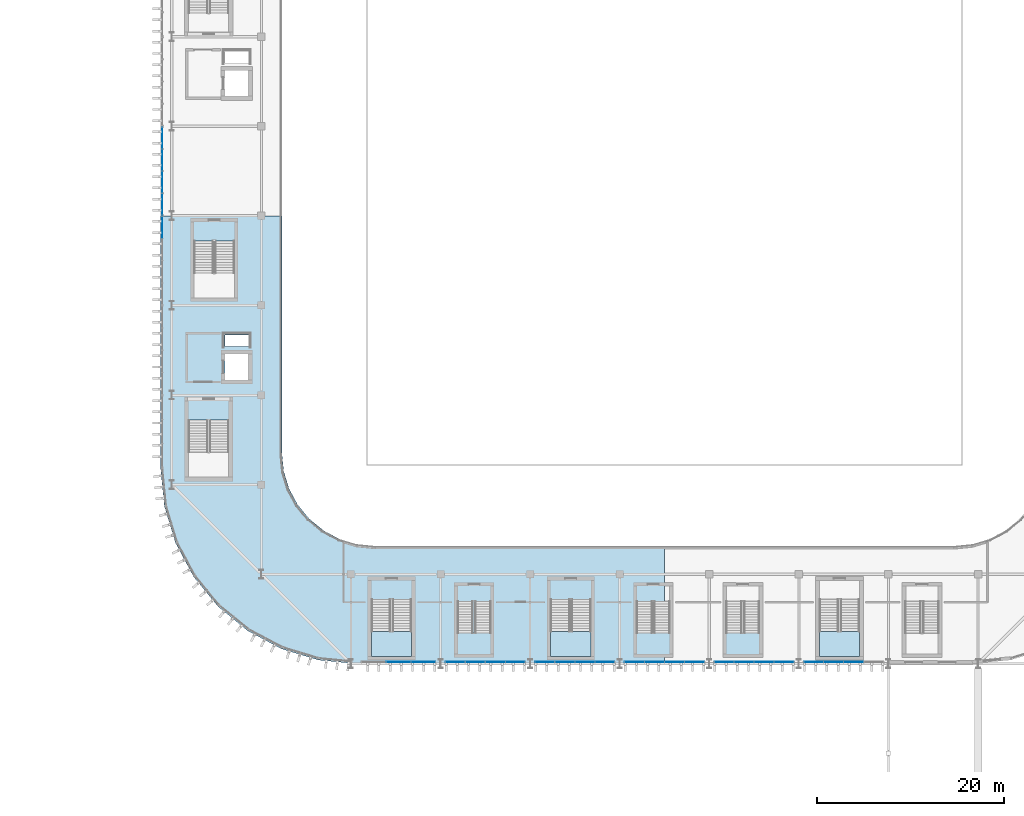
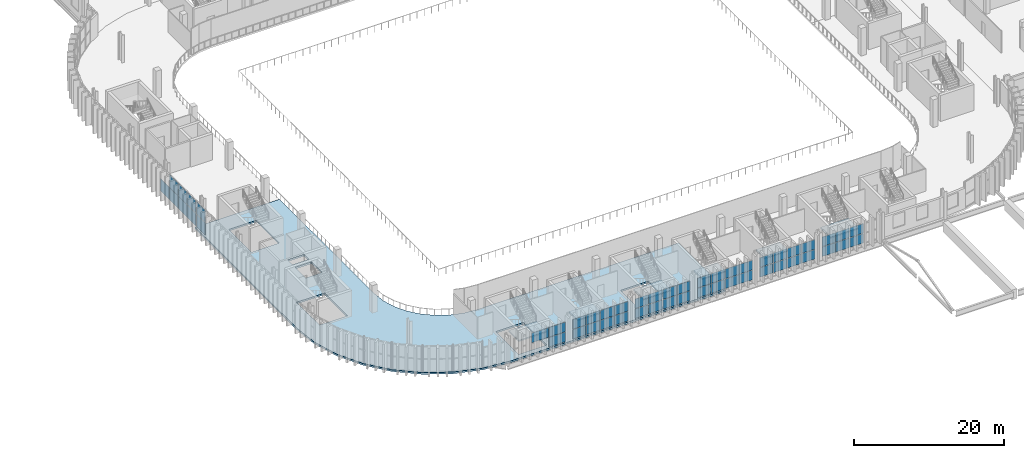
# One storey, part 37 of 75: 50 plates, 7 slabs, 14 elements without a shape of their own.
"""IFC4 building model written with IfcOpenShell, lengths in metres."""

from ifc_helpers import new_model, si_unit, direction, frame, origin, origin_2d, place, context, subcontext, project, spatial, polyline, rectangle, outline, extrude, material, layer, layer_set, type_object, element, aggregate, save


model = new_model("IFC4")

# Units and contexts
model_context = context("Model", 3, precision=1e-05, world=origin(), true_north=direction((0.0, 1.0)))
body_context = subcontext(model_context, "Body", "Model", "MODEL_VIEW")
ifc_project = project(units=[si_unit("LENGTHUNIT", "METRE"), si_unit("AREAUNIT", "SQUARE_METRE"), si_unit("VOLUMEUNIT", "CUBIC_METRE"), si_unit("PLANEANGLEUNIT", "RADIAN"), si_unit("MASSUNIT", "GRAM", prefix="KILO")], contexts=[model_context])

# Site, building, storey
site_placement = place(None, origin())
site = spatial("IfcSite", under=ifc_project, at=site_placement, CompositionType="ELEMENT")
building_placement = place(site_placement, origin())
building = spatial("IfcBuilding", under=site, at=building_placement, Name="Caelomonte Colonnade Arena", CompositionType="ELEMENT")
storey_placement = place(building_placement, frame((0.0, 0.0, 14.10009765625)))
storey = spatial("IfcBuildingStorey", under=building, at=storey_placement, Name="L03", CompositionType="ELEMENT", Elevation=14.10009765625)

# Curtain wall, plates
ifc_material_1 = material(Name="Bronze anodised aluminium and low-E glazing", Category="aluminium")
ifc_layer_1 = layer(ifc_material_1, 0.179931640625)
ifc_layer_set_1 = layer_set([ifc_layer_1], Name="Bronze anodised aluminium and low-E glazing")
curtain_wall_type_1 = type_object("IfcCurtainWallType", Name="ENV-CW-CW-L03-90-33", PredefinedType="USERDEFINED", material=ifc_layer_set_1)
curtain_wall_1_placement = place(storey_placement, origin())
curtain_wall_1 = element("IfcCurtainWall", 1, at=curtain_wall_1_placement, inside=storey, type_object=curtain_wall_type_1, Name="L03 unitized curtain wall CW-L03-0819-0194", ObjectType="UNITIZED CURTAIN WALL", PredefinedType="USERDEFINED")
ifc_material_2 = material(Name="Solar-control bronze low-E double glazing", Category="glass")
ifc_layer_2 = layer(ifc_material_2, 0.035888671875)
ifc_layer_set_2 = layer_set([ifc_layer_2], Name="Solar-control bronze low-E double glazing")
plate_type = type_object("IfcPlateType", Name="ENV-CW-PAN36", PredefinedType="CURTAIN_PANEL", material=ifc_layer_set_2)
plate_1_placement = place(storey_placement, frame((81.89990234375, 19.3798828125, 1.69140625), z_axis=(0.0, 0.0, 1.0), x_axis=(1.0, 0.0, 0.0)))
plate_1 = element("IfcPlate", 2, at=plate_1_placement, type_object=plate_type, Name="CW-L03-90-33 panel 2.2", PredefinedType="CURTAIN_PANEL", context=body_context, shape_type="SweptSolid", body=[
    extrude(rectangle(XDim=2.600830078125, YDim=0.035888671875, at=origin_2d()), origin(), (0.0, 0.0, 1.0), 1.551513671875),
])
plate_2_placement = place(storey_placement, frame((84.553466796875, 19.3798828125, 0.06982421875), z_axis=(0.0, 0.0, 1.0), x_axis=(1.0, 0.0, 0.0)))
plate_2 = element("IfcPlate", 3, at=plate_2_placement, type_object=plate_type, Name="CW-L03-90-33 panel 3.1", PredefinedType="CURTAIN_PANEL", context=body_context, shape_type="SweptSolid", body=[
    extrude(rectangle(XDim=2.56591796875, YDim=0.035888671875, at=origin_2d()), origin(), (0.0, 0.0, 1.0), 1.551513671875),
])
plate_3_placement = place(storey_placement, frame((84.553466796875, 19.3798828125, 1.69140625), z_axis=(0.0, 0.0, 1.0), x_axis=(1.0, 0.0, 0.0)))
plate_3 = element("IfcPlate", 4, at=plate_3_placement, type_object=plate_type, Name="CW-L03-90-33 panel 3.2", PredefinedType="CURTAIN_PANEL", context=body_context, shape_type="SweptSolid", body=[
    extrude(rectangle(XDim=2.56591796875, YDim=0.035888671875, at=origin_2d()), origin(), (0.0, 0.0, 1.0), 1.551513671875),
])
aggregate(curtain_wall_1, [plate_1, plate_2, plate_3])

ifc_layer_3 = layer(ifc_material_1, 0.179931640625)
ifc_layer_set_3 = layer_set([ifc_layer_3], Name="Bronze anodised aluminium and low-E glazing")
curtain_wall_type_2 = type_object("IfcCurtainWallType", Name="ENV-CW-CW-L03-96-33", PredefinedType="USERDEFINED", material=ifc_layer_set_3)
curtain_wall_2_placement = place(storey_placement, origin())
curtain_wall_2 = element("IfcCurtainWall", 5, at=curtain_wall_2_placement, inside=storey, type_object=curtain_wall_type_2, Name="L03 unitized curtain wall CW-L03-0912-0194", ObjectType="UNITIZED CURTAIN WALL", PredefinedType="USERDEFINED")
plate_4_placement = place(storey_placement, frame((87.98779296875, 19.3798828125, 0.06982421875), z_axis=(0.0, 0.0, 1.0), x_axis=(1.0, 0.0, 0.0)))
plate_4 = element("IfcPlate", 6, at=plate_4_placement, type_object=plate_type, Name="CW-L03-96-33 panel 1.1", PredefinedType="CURTAIN_PANEL", context=body_context, shape_type="SweptSolid", body=[
    extrude(rectangle(XDim=2.048095703125, YDim=0.035888671875, at=origin_2d()), origin(), (0.0, 0.0, 1.0), 1.551513671875),
])
plate_5_placement = place(storey_placement, frame((87.98779296875, 19.3798828125, 1.69140625), z_axis=(0.0, 0.0, 1.0), x_axis=(1.0, 0.0, 0.0)))
plate_5 = element("IfcPlate", 7, at=plate_5_placement, type_object=plate_type, Name="CW-L03-96-33 panel 1.2", PredefinedType="CURTAIN_PANEL", context=body_context, shape_type="SweptSolid", body=[
    extrude(rectangle(XDim=2.048095703125, YDim=0.035888671875, at=origin_2d()), origin(), (0.0, 0.0, 1.0), 1.551513671875),
])
plate_6_placement = place(storey_placement, frame((90.12353515625, 19.3798828125, 0.06982421875), z_axis=(0.0, 0.0, 1.0), x_axis=(1.0, 0.0, 0.0)))
plate_6 = element("IfcPlate", 8, at=plate_6_placement, type_object=plate_type, Name="CW-L03-96-33 panel 2.1", PredefinedType="CURTAIN_PANEL", context=body_context, shape_type="SweptSolid", body=[
    extrude(rectangle(XDim=2.083251953125, YDim=0.035888671875, at=origin_2d()), origin(), (0.0, 0.0, 1.0), 1.551513671875),
])
plate_7_placement = place(storey_placement, frame((90.12353515625, 19.3798828125, 1.69140625), z_axis=(0.0, 0.0, 1.0), x_axis=(1.0, 0.0, 0.0)))
plate_7 = element("IfcPlate", 9, at=plate_7_placement, type_object=plate_type, Name="CW-L03-96-33 panel 2.2", PredefinedType="CURTAIN_PANEL", context=body_context, shape_type="SweptSolid", body=[
    extrude(rectangle(XDim=2.083251953125, YDim=0.035888671875, at=origin_2d()), origin(), (0.0, 0.0, 1.0), 1.551513671875),
])
plate_8_placement = place(storey_placement, frame((92.276611328125, 19.3798828125, 0.06982421875), z_axis=(0.0, 0.0, 1.0), x_axis=(1.0, 0.0, 0.0)))
plate_8 = element("IfcPlate", 10, at=plate_8_placement, type_object=plate_type, Name="CW-L03-96-33 panel 3.1", PredefinedType="CURTAIN_PANEL", context=body_context, shape_type="SweptSolid", body=[
    extrude(rectangle(XDim=2.083251953125, YDim=0.035888671875, at=origin_2d()), origin(), (0.0, 0.0, 1.0), 1.551513671875),
])
plate_9_placement = place(storey_placement, frame((92.276611328125, 19.3798828125, 1.69140625), z_axis=(0.0, 0.0, 1.0), x_axis=(1.0, 0.0, 0.0)))
plate_9 = element("IfcPlate", 11, at=plate_9_placement, type_object=plate_type, Name="CW-L03-96-33 panel 3.2", PredefinedType="CURTAIN_PANEL", context=body_context, shape_type="SweptSolid", body=[
    extrude(rectangle(XDim=2.083251953125, YDim=0.035888671875, at=origin_2d()), origin(), (0.0, 0.0, 1.0), 1.551513671875),
])
plate_10_placement = place(storey_placement, frame((94.412109375, 19.3798828125, 0.06982421875), z_axis=(0.0, 0.0, 1.0), x_axis=(1.0, 0.0, 0.0)))
plate_10 = element("IfcPlate", 12, at=plate_10_placement, type_object=plate_type, Name="CW-L03-96-33 panel 4.1", PredefinedType="CURTAIN_PANEL", context=body_context, shape_type="SweptSolid", body=[
    extrude(rectangle(XDim=2.048095703125, YDim=0.035888671875, at=origin_2d()), origin(), (0.0, 0.0, 1.0), 1.551513671875),
])
plate_11_placement = place(storey_placement, frame((94.412109375, 19.3798828125, 1.69140625), z_axis=(0.0, 0.0, 1.0), x_axis=(1.0, 0.0, 0.0)))
plate_11 = element("IfcPlate", 13, at=plate_11_placement, type_object=plate_type, Name="CW-L03-96-33 panel 4.2", PredefinedType="CURTAIN_PANEL", context=body_context, shape_type="SweptSolid", body=[
    extrude(rectangle(XDim=2.048095703125, YDim=0.035888671875, at=origin_2d()), origin(), (0.0, 0.0, 1.0), 1.551513671875),
])
aggregate(curtain_wall_2, [plate_4, plate_5, plate_6, plate_7, plate_8, plate_9, plate_10, plate_11])

curtain_wall_3_placement = place(storey_placement, origin())
curtain_wall_3 = element("IfcCurtainWall", 14, at=curtain_wall_3_placement, inside=storey, type_object=curtain_wall_type_2, Name="L03 unitized curtain wall CW-L03-1008-0194", ObjectType="UNITIZED CURTAIN WALL", PredefinedType="USERDEFINED")
plate_12_placement = place(storey_placement, frame((97.587890625, 19.3798828125, 0.06982421875), z_axis=(0.0, 0.0, 1.0), x_axis=(1.0, 0.0, 0.0)))
plate_12 = element("IfcPlate", 15, at=plate_12_placement, type_object=plate_type, Name="CW-L03-96-33 panel 1.1", PredefinedType="CURTAIN_PANEL", context=body_context, shape_type="SweptSolid", body=[
    extrude(rectangle(XDim=2.048095703125, YDim=0.035888671875, at=origin_2d()), origin(), (0.0, 0.0, 1.0), 1.551513671875),
])
plate_13_placement = place(storey_placement, frame((97.587890625, 19.3798828125, 1.69140625), z_axis=(0.0, 0.0, 1.0), x_axis=(1.0, 0.0, 0.0)))
plate_13 = element("IfcPlate", 16, at=plate_13_placement, type_object=plate_type, Name="CW-L03-96-33 panel 1.2", PredefinedType="CURTAIN_PANEL", context=body_context, shape_type="SweptSolid", body=[
    extrude(rectangle(XDim=2.048095703125, YDim=0.035888671875, at=origin_2d()), origin(), (0.0, 0.0, 1.0), 1.551513671875),
])
plate_14_placement = place(storey_placement, frame((99.723388671875, 19.3798828125, 0.06982421875), z_axis=(0.0, 0.0, 1.0), x_axis=(1.0, 0.0, 0.0)))
plate_14 = element("IfcPlate", 17, at=plate_14_placement, type_object=plate_type, Name="CW-L03-96-33 panel 2.1", PredefinedType="CURTAIN_PANEL", context=body_context, shape_type="SweptSolid", body=[
    extrude(rectangle(XDim=2.083251953125, YDim=0.035888671875, at=origin_2d()), origin(), (0.0, 0.0, 1.0), 1.551513671875),
])
plate_15_placement = place(storey_placement, frame((99.723388671875, 19.3798828125, 1.69140625), z_axis=(0.0, 0.0, 1.0), x_axis=(1.0, 0.0, 0.0)))
plate_15 = element("IfcPlate", 18, at=plate_15_placement, type_object=plate_type, Name="CW-L03-96-33 panel 2.2", PredefinedType="CURTAIN_PANEL", context=body_context, shape_type="SweptSolid", body=[
    extrude(rectangle(XDim=2.083251953125, YDim=0.035888671875, at=origin_2d()), origin(), (0.0, 0.0, 1.0), 1.551513671875),
])
plate_16_placement = place(storey_placement, frame((101.87646484375, 19.3798828125, 0.06982421875), z_axis=(0.0, 0.0, 1.0), x_axis=(1.0, 0.0, 0.0)))
plate_16 = element("IfcPlate", 19, at=plate_16_placement, type_object=plate_type, Name="CW-L03-96-33 panel 3.1", PredefinedType="CURTAIN_PANEL", context=body_context, shape_type="SweptSolid", body=[
    extrude(rectangle(XDim=2.083251953125, YDim=0.035888671875, at=origin_2d()), origin(), (0.0, 0.0, 1.0), 1.551513671875),
])
plate_17_placement = place(storey_placement, frame((101.87646484375, 19.3798828125, 1.69140625), z_axis=(0.0, 0.0, 1.0), x_axis=(1.0, 0.0, 0.0)))
plate_17 = element("IfcPlate", 20, at=plate_17_placement, type_object=plate_type, Name="CW-L03-96-33 panel 3.2", PredefinedType="CURTAIN_PANEL", context=body_context, shape_type="SweptSolid", body=[
    extrude(rectangle(XDim=2.083251953125, YDim=0.035888671875, at=origin_2d()), origin(), (0.0, 0.0, 1.0), 1.551513671875),
])
plate_18_placement = place(storey_placement, frame((104.01220703125, 19.3798828125, 0.06982421875), z_axis=(0.0, 0.0, 1.0), x_axis=(1.0, 0.0, 0.0)))
plate_18 = element("IfcPlate", 21, at=plate_18_placement, type_object=plate_type, Name="CW-L03-96-33 panel 4.1", PredefinedType="CURTAIN_PANEL", context=body_context, shape_type="SweptSolid", body=[
    extrude(rectangle(XDim=2.048095703125, YDim=0.035888671875, at=origin_2d()), origin(), (0.0, 0.0, 1.0), 1.551513671875),
])
plate_19_placement = place(storey_placement, frame((104.01220703125, 19.3798828125, 1.69140625), z_axis=(0.0, 0.0, 1.0), x_axis=(1.0, 0.0, 0.0)))
plate_19 = element("IfcPlate", 22, at=plate_19_placement, type_object=plate_type, Name="CW-L03-96-33 panel 4.2", PredefinedType="CURTAIN_PANEL", context=body_context, shape_type="SweptSolid", body=[
    extrude(rectangle(XDim=2.048095703125, YDim=0.035888671875, at=origin_2d()), origin(), (0.0, 0.0, 1.0), 1.551513671875),
])
aggregate(curtain_wall_3, [plate_12, plate_13, plate_14, plate_15, plate_16, plate_17, plate_18, plate_19])

curtain_wall_4_placement = place(storey_placement, origin())
curtain_wall_4 = element("IfcCurtainWall", 23, at=curtain_wall_4_placement, inside=storey, type_object=curtain_wall_type_2, Name="L03 unitized curtain wall CW-L03-1104-0194", ObjectType="UNITIZED CURTAIN WALL", PredefinedType="USERDEFINED")
plate_20_placement = place(storey_placement, frame((107.187744140625, 19.3798828125, 0.06982421875), z_axis=(0.0, 0.0, 1.0), x_axis=(1.0, 0.0, 0.0)))
plate_20 = element("IfcPlate", 24, at=plate_20_placement, type_object=plate_type, Name="CW-L03-96-33 panel 1.1", PredefinedType="CURTAIN_PANEL", context=body_context, shape_type="SweptSolid", body=[
    extrude(rectangle(XDim=2.048095703125, YDim=0.035888671875, at=origin_2d()), origin(), (0.0, 0.0, 1.0), 1.551513671875),
])
plate_21_placement = place(storey_placement, frame((107.187744140625, 19.3798828125, 1.69140625), z_axis=(0.0, 0.0, 1.0), x_axis=(1.0, 0.0, 0.0)))
plate_21 = element("IfcPlate", 25, at=plate_21_placement, type_object=plate_type, Name="CW-L03-96-33 panel 1.2", PredefinedType="CURTAIN_PANEL", context=body_context, shape_type="SweptSolid", body=[
    extrude(rectangle(XDim=2.048095703125, YDim=0.035888671875, at=origin_2d()), origin(), (0.0, 0.0, 1.0), 1.551513671875),
])
plate_22_placement = place(storey_placement, frame((109.323486328125, 19.3798828125, 0.06982421875), z_axis=(0.0, 0.0, 1.0), x_axis=(1.0, 0.0, 0.0)))
plate_22 = element("IfcPlate", 26, at=plate_22_placement, type_object=plate_type, Name="CW-L03-96-33 panel 2.1", PredefinedType="CURTAIN_PANEL", context=body_context, shape_type="SweptSolid", body=[
    extrude(rectangle(XDim=2.083251953125, YDim=0.035888671875, at=origin_2d()), origin(), (0.0, 0.0, 1.0), 1.551513671875),
])
plate_23_placement = place(storey_placement, frame((109.323486328125, 19.3798828125, 1.69140625), z_axis=(0.0, 0.0, 1.0), x_axis=(1.0, 0.0, 0.0)))
plate_23 = element("IfcPlate", 27, at=plate_23_placement, type_object=plate_type, Name="CW-L03-96-33 panel 2.2", PredefinedType="CURTAIN_PANEL", context=body_context, shape_type="SweptSolid", body=[
    extrude(rectangle(XDim=2.083251953125, YDim=0.035888671875, at=origin_2d()), origin(), (0.0, 0.0, 1.0), 1.551513671875),
])
plate_24_placement = place(storey_placement, frame((111.4765625, 19.3798828125, 0.06982421875), z_axis=(0.0, 0.0, 1.0), x_axis=(1.0, 0.0, 0.0)))
plate_24 = element("IfcPlate", 28, at=plate_24_placement, type_object=plate_type, Name="CW-L03-96-33 panel 3.1", PredefinedType="CURTAIN_PANEL", context=body_context, shape_type="SweptSolid", body=[
    extrude(rectangle(XDim=2.083251953125, YDim=0.035888671875, at=origin_2d()), origin(), (0.0, 0.0, 1.0), 1.551513671875),
])
plate_25_placement = place(storey_placement, frame((111.4765625, 19.3798828125, 1.69140625), z_axis=(0.0, 0.0, 1.0), x_axis=(1.0, 0.0, 0.0)))
plate_25 = element("IfcPlate", 29, at=plate_25_placement, type_object=plate_type, Name="CW-L03-96-33 panel 3.2", PredefinedType="CURTAIN_PANEL", context=body_context, shape_type="SweptSolid", body=[
    extrude(rectangle(XDim=2.083251953125, YDim=0.035888671875, at=origin_2d()), origin(), (0.0, 0.0, 1.0), 1.551513671875),
])
plate_26_placement = place(storey_placement, frame((113.6123046875, 19.3798828125, 0.06982421875), z_axis=(0.0, 0.0, 1.0), x_axis=(1.0, 0.0, 0.0)))
plate_26 = element("IfcPlate", 30, at=plate_26_placement, type_object=plate_type, Name="CW-L03-96-33 panel 4.1", PredefinedType="CURTAIN_PANEL", context=body_context, shape_type="SweptSolid", body=[
    extrude(rectangle(XDim=2.048095703125, YDim=0.035888671875, at=origin_2d()), origin(), (0.0, 0.0, 1.0), 1.551513671875),
])
plate_27_placement = place(storey_placement, frame((113.6123046875, 19.3798828125, 1.69140625), z_axis=(0.0, 0.0, 1.0), x_axis=(1.0, 0.0, 0.0)))
plate_27 = element("IfcPlate", 31, at=plate_27_placement, type_object=plate_type, Name="CW-L03-96-33 panel 4.2", PredefinedType="CURTAIN_PANEL", context=body_context, shape_type="SweptSolid", body=[
    extrude(rectangle(XDim=2.048095703125, YDim=0.035888671875, at=origin_2d()), origin(), (0.0, 0.0, 1.0), 1.551513671875),
])
aggregate(curtain_wall_4, [plate_20, plate_21, plate_22, plate_23, plate_24, plate_25, plate_26, plate_27])

curtain_wall_5_placement = place(storey_placement, origin())
curtain_wall_5 = element("IfcCurtainWall", 32, at=curtain_wall_5_placement, inside=storey, type_object=curtain_wall_type_2, Name="L03 unitized curtain wall CW-L03-1200-0194", ObjectType="UNITIZED CURTAIN WALL", PredefinedType="USERDEFINED")
plate_28_placement = place(storey_placement, frame((116.787841796875, 19.3798828125, 0.06982421875), z_axis=(0.0, 0.0, 1.0), x_axis=(1.0, 0.0, 0.0)))
plate_28 = element("IfcPlate", 33, at=plate_28_placement, type_object=plate_type, Name="CW-L03-96-33 panel 1.1", PredefinedType="CURTAIN_PANEL", context=body_context, shape_type="SweptSolid", body=[
    extrude(rectangle(XDim=2.048095703125, YDim=0.035888671875, at=origin_2d()), origin(), (0.0, 0.0, 1.0), 1.551513671875),
])
plate_29_placement = place(storey_placement, frame((116.787841796875, 19.3798828125, 1.69140625), z_axis=(0.0, 0.0, 1.0), x_axis=(1.0, 0.0, 0.0)))
plate_29 = element("IfcPlate", 34, at=plate_29_placement, type_object=plate_type, Name="CW-L03-96-33 panel 1.2", PredefinedType="CURTAIN_PANEL", context=body_context, shape_type="SweptSolid", body=[
    extrude(rectangle(XDim=2.048095703125, YDim=0.035888671875, at=origin_2d()), origin(), (0.0, 0.0, 1.0), 1.551513671875),
])
plate_30_placement = place(storey_placement, frame((118.92333984375, 19.3798828125, 0.06982421875), z_axis=(0.0, 0.0, 1.0), x_axis=(1.0, 0.0, 0.0)))
plate_30 = element("IfcPlate", 35, at=plate_30_placement, type_object=plate_type, Name="CW-L03-96-33 panel 2.1", PredefinedType="CURTAIN_PANEL", context=body_context, shape_type="SweptSolid", body=[
    extrude(rectangle(XDim=2.083251953125, YDim=0.035888671875, at=origin_2d()), origin(), (0.0, 0.0, 1.0), 1.551513671875),
])
plate_31_placement = place(storey_placement, frame((118.92333984375, 19.3798828125, 1.69140625), z_axis=(0.0, 0.0, 1.0), x_axis=(1.0, 0.0, 0.0)))
plate_31 = element("IfcPlate", 36, at=plate_31_placement, type_object=plate_type, Name="CW-L03-96-33 panel 2.2", PredefinedType="CURTAIN_PANEL", context=body_context, shape_type="SweptSolid", body=[
    extrude(rectangle(XDim=2.083251953125, YDim=0.035888671875, at=origin_2d()), origin(), (0.0, 0.0, 1.0), 1.551513671875),
])
plate_32_placement = place(storey_placement, frame((121.07666015625, 19.3798828125, 0.06982421875), z_axis=(0.0, 0.0, 1.0), x_axis=(1.0, 0.0, 0.0)))
plate_32 = element("IfcPlate", 37, at=plate_32_placement, type_object=plate_type, Name="CW-L03-96-33 panel 3.1", PredefinedType="CURTAIN_PANEL", context=body_context, shape_type="SweptSolid", body=[
    extrude(rectangle(XDim=2.083251953125, YDim=0.035888671875, at=origin_2d()), origin(), (0.0, 0.0, 1.0), 1.551513671875),
])
plate_33_placement = place(storey_placement, frame((121.07666015625, 19.3798828125, 1.69140625), z_axis=(0.0, 0.0, 1.0), x_axis=(1.0, 0.0, 0.0)))
plate_33 = element("IfcPlate", 38, at=plate_33_placement, type_object=plate_type, Name="CW-L03-96-33 panel 3.2", PredefinedType="CURTAIN_PANEL", context=body_context, shape_type="SweptSolid", body=[
    extrude(rectangle(XDim=2.083251953125, YDim=0.035888671875, at=origin_2d()), origin(), (0.0, 0.0, 1.0), 1.551513671875),
])
plate_34_placement = place(storey_placement, frame((123.212158203125, 19.3798828125, 0.06982421875), z_axis=(0.0, 0.0, 1.0), x_axis=(1.0, 0.0, 0.0)))
plate_34 = element("IfcPlate", 39, at=plate_34_placement, type_object=plate_type, Name="CW-L03-96-33 panel 4.1", PredefinedType="CURTAIN_PANEL", context=body_context, shape_type="SweptSolid", body=[
    extrude(rectangle(XDim=2.048095703125, YDim=0.035888671875, at=origin_2d()), origin(), (0.0, 0.0, 1.0), 1.551513671875),
])
plate_35_placement = place(storey_placement, frame((123.212158203125, 19.3798828125, 1.69140625), z_axis=(0.0, 0.0, 1.0), x_axis=(1.0, 0.0, 0.0)))
plate_35 = element("IfcPlate", 40, at=plate_35_placement, type_object=plate_type, Name="CW-L03-96-33 panel 4.2", PredefinedType="CURTAIN_PANEL", context=body_context, shape_type="SweptSolid", body=[
    extrude(rectangle(XDim=2.048095703125, YDim=0.035888671875, at=origin_2d()), origin(), (0.0, 0.0, 1.0), 1.551513671875),
])
aggregate(curtain_wall_5, [plate_28, plate_29, plate_30, plate_31, plate_32, plate_33, plate_34, plate_35])

curtain_wall_6_placement = place(storey_placement, origin())
curtain_wall_6 = element("IfcCurtainWall", 41, at=curtain_wall_6_placement, inside=storey, type_object=curtain_wall_type_2, Name="L03 unitized curtain wall CW-L03-1296-0194", ObjectType="UNITIZED CURTAIN WALL", PredefinedType="USERDEFINED")
plate_36_placement = place(storey_placement, frame((126.3876953125, 19.3798828125, 0.06982421875), z_axis=(0.0, 0.0, 1.0), x_axis=(1.0, 0.0, 0.0)))
plate_36 = element("IfcPlate", 42, at=plate_36_placement, type_object=plate_type, Name="CW-L03-96-33 panel 1.1", PredefinedType="CURTAIN_PANEL", context=body_context, shape_type="SweptSolid", body=[
    extrude(rectangle(XDim=2.048095703125, YDim=0.035888671875, at=origin_2d()), origin(), (0.0, 0.0, 1.0), 1.551513671875),
])
plate_37_placement = place(storey_placement, frame((126.3876953125, 19.3798828125, 1.69140625), z_axis=(0.0, 0.0, 1.0), x_axis=(1.0, 0.0, 0.0)))
plate_37 = element("IfcPlate", 43, at=plate_37_placement, type_object=plate_type, Name="CW-L03-96-33 panel 1.2", PredefinedType="CURTAIN_PANEL", context=body_context, shape_type="SweptSolid", body=[
    extrude(rectangle(XDim=2.048095703125, YDim=0.035888671875, at=origin_2d()), origin(), (0.0, 0.0, 1.0), 1.551513671875),
])
plate_38_placement = place(storey_placement, frame((128.5234375, 19.3798828125, 0.06982421875), z_axis=(0.0, 0.0, 1.0), x_axis=(1.0, 0.0, 0.0)))
plate_38 = element("IfcPlate", 44, at=plate_38_placement, type_object=plate_type, Name="CW-L03-96-33 panel 2.1", PredefinedType="CURTAIN_PANEL", context=body_context, shape_type="SweptSolid", body=[
    extrude(rectangle(XDim=2.083251953125, YDim=0.035888671875, at=origin_2d()), origin(), (0.0, 0.0, 1.0), 1.551513671875),
])
plate_39_placement = place(storey_placement, frame((128.5234375, 19.3798828125, 1.69140625), z_axis=(0.0, 0.0, 1.0), x_axis=(1.0, 0.0, 0.0)))
plate_39 = element("IfcPlate", 45, at=plate_39_placement, type_object=plate_type, Name="CW-L03-96-33 panel 2.2", PredefinedType="CURTAIN_PANEL", context=body_context, shape_type="SweptSolid", body=[
    extrude(rectangle(XDim=2.083251953125, YDim=0.035888671875, at=origin_2d()), origin(), (0.0, 0.0, 1.0), 1.551513671875),
])
plate_40_placement = place(storey_placement, frame((130.676513671875, 19.3798828125, 0.06982421875), z_axis=(0.0, 0.0, 1.0), x_axis=(1.0, 0.0, 0.0)))
plate_40 = element("IfcPlate", 46, at=plate_40_placement, type_object=plate_type, Name="CW-L03-96-33 panel 3.1", PredefinedType="CURTAIN_PANEL", context=body_context, shape_type="SweptSolid", body=[
    extrude(rectangle(XDim=2.083251953125, YDim=0.035888671875, at=origin_2d()), origin(), (0.0, 0.0, 1.0), 1.551513671875),
])
plate_41_placement = place(storey_placement, frame((130.676513671875, 19.3798828125, 1.69140625), z_axis=(0.0, 0.0, 1.0), x_axis=(1.0, 0.0, 0.0)))
plate_41 = element("IfcPlate", 47, at=plate_41_placement, type_object=plate_type, Name="CW-L03-96-33 panel 3.2", PredefinedType="CURTAIN_PANEL", context=body_context, shape_type="SweptSolid", body=[
    extrude(rectangle(XDim=2.083251953125, YDim=0.035888671875, at=origin_2d()), origin(), (0.0, 0.0, 1.0), 1.551513671875),
])
aggregate(curtain_wall_6, [plate_36, plate_37, plate_38, plate_39, plate_40, plate_41])

ifc_layer_4 = layer(ifc_material_1, 0.179931640625)
ifc_layer_set_4 = layer_set([ifc_layer_4], Name="Bronze anodised aluminium and low-E glazing")
curtain_wall_type_3 = type_object("IfcCurtainWallType", Name="ENV-CW-CW-L03-96-42", PredefinedType="USERDEFINED", material=ifc_layer_set_4)
curtain_wall_7_placement = place(storey_placement, origin())
curtain_wall_7 = element("IfcCurtainWall", 48, at=curtain_wall_7_placement, inside=storey, type_object=curtain_wall_type_3, Name="L03 unitized curtain wall CW-L03-0566-0720", ObjectType="UNITIZED CURTAIN WALL", PredefinedType="USERDEFINED")
plate_42_placement = place(storey_placement, frame((56.580078125, 75.552490234375, 0.06982421875), z_axis=(0.0, 0.0, 1.0), x_axis=(0.0, -1.0, 0.0)))
plate_42 = element("IfcPlate", 49, at=plate_42_placement, type_object=plate_type, Name="CW-L03-96-42 panel 1.1", PredefinedType="CURTAIN_PANEL", context=body_context, shape_type="SweptSolid", body=[
    extrude(rectangle(XDim=2.27490234375, YDim=0.035888671875, at=origin_2d()), origin(), (0.0, 0.0, 1.0), 2.014892578125),
])
plate_43_placement = place(storey_placement, frame((56.580078125, 73.18994140625, 0.06982421875), z_axis=(0.0, 0.0, 1.0), x_axis=(0.0, -1.0, 0.0)))
plate_43 = element("IfcPlate", 50, at=plate_43_placement, type_object=plate_type, Name="CW-L03-96-42 panel 2.1", PredefinedType="CURTAIN_PANEL", context=body_context, shape_type="SweptSolid", body=[
    extrude(rectangle(XDim=2.31005859375, YDim=0.035888671875, at=origin_2d()), origin(), (0.0, 0.0, 1.0), 2.014892578125),
])
plate_44_placement = place(storey_placement, frame((56.580078125, 73.18994140625, 2.15478515625), z_axis=(0.0, 0.0, 1.0), x_axis=(0.0, -1.0, 0.0)))
plate_44 = element("IfcPlate", 51, at=plate_44_placement, type_object=plate_type, Name="CW-L03-96-42 panel 2.2", PredefinedType="CURTAIN_PANEL", context=body_context, shape_type="SweptSolid", body=[
    extrude(rectangle(XDim=2.31005859375, YDim=0.035888671875, at=origin_2d()), origin(), (0.0, 0.0, 1.0), 2.014892578125),
])
plate_45_placement = place(storey_placement, frame((56.580078125, 70.81005859375, 0.06982421875), z_axis=(0.0, 0.0, 1.0), x_axis=(0.0, -1.0, 0.0)))
plate_45 = element("IfcPlate", 52, at=plate_45_placement, type_object=plate_type, Name="CW-L03-96-42 panel 3.1", PredefinedType="CURTAIN_PANEL", context=body_context, shape_type="SweptSolid", body=[
    extrude(rectangle(XDim=2.31005859375, YDim=0.035888671875, at=origin_2d()), origin(), (0.0, 0.0, 1.0), 2.014892578125),
])
plate_46_placement = place(storey_placement, frame((56.580078125, 70.81005859375, 2.15478515625), z_axis=(0.0, 0.0, 1.0), x_axis=(0.0, -1.0, 0.0)))
plate_46 = element("IfcPlate", 53, at=plate_46_placement, type_object=plate_type, Name="CW-L03-96-42 panel 3.2", PredefinedType="CURTAIN_PANEL", context=body_context, shape_type="SweptSolid", body=[
    extrude(rectangle(XDim=2.31005859375, YDim=0.035888671875, at=origin_2d()), origin(), (0.0, 0.0, 1.0), 2.014892578125),
])
plate_47_placement = place(storey_placement, frame((56.580078125, 68.447509765625, 0.06982421875), z_axis=(0.0, 0.0, 1.0), x_axis=(0.0, -1.0, 0.0)))
plate_47 = element("IfcPlate", 54, at=plate_47_placement, type_object=plate_type, Name="CW-L03-96-42 panel 4.1", PredefinedType="CURTAIN_PANEL", context=body_context, shape_type="SweptSolid", body=[
    extrude(rectangle(XDim=2.27490234375, YDim=0.035888671875, at=origin_2d()), origin(), (0.0, 0.0, 1.0), 2.014892578125),
])
plate_48_placement = place(storey_placement, frame((56.580078125, 68.447509765625, 2.15478515625), z_axis=(0.0, 0.0, 1.0), x_axis=(0.0, -1.0, 0.0)))
plate_48 = element("IfcPlate", 55, at=plate_48_placement, type_object=plate_type, Name="CW-L03-96-42 panel 4.2", PredefinedType="CURTAIN_PANEL", context=body_context, shape_type="SweptSolid", body=[
    extrude(rectangle(XDim=2.27490234375, YDim=0.035888671875, at=origin_2d()), origin(), (0.0, 0.0, 1.0), 2.014892578125),
])
aggregate(curtain_wall_7, [plate_42, plate_43, plate_44, plate_45, plate_46, plate_47, plate_48])

curtain_wall_8_placement = place(storey_placement, origin())
curtain_wall_8 = element("IfcCurtainWall", 56, at=curtain_wall_8_placement, inside=storey, type_object=curtain_wall_type_3, Name="L03 unitized curtain wall CW-L03-0566-0624", ObjectType="UNITIZED CURTAIN WALL", PredefinedType="USERDEFINED")
plate_49_placement = place(storey_placement, frame((56.580078125, 65.952392578125, 0.06982421875), z_axis=(0.0, 0.0, 1.0), x_axis=(0.0, -1.0, 0.0)))
plate_49 = element("IfcPlate", 57, at=plate_49_placement, type_object=plate_type, Name="CW-L03-96-42 panel 1.1", PredefinedType="CURTAIN_PANEL", context=body_context, shape_type="SweptSolid", body=[
    extrude(rectangle(XDim=2.27490234375, YDim=0.035888671875, at=origin_2d()), origin(), (0.0, 0.0, 1.0), 2.014892578125),
])
plate_50_placement = place(storey_placement, frame((56.580078125, 65.952392578125, 2.15478515625), z_axis=(0.0, 0.0, 1.0), x_axis=(0.0, -1.0, 0.0)))
plate_50 = element("IfcPlate", 58, at=plate_50_placement, type_object=plate_type, Name="CW-L03-96-42 panel 1.2", PredefinedType="CURTAIN_PANEL", context=body_context, shape_type="SweptSolid", body=[
    extrude(rectangle(XDim=2.27490234375, YDim=0.035888671875, at=origin_2d()), origin(), (0.0, 0.0, 1.0), 2.014892578125),
])
aggregate(curtain_wall_8, [plate_49, plate_50])

# Stair, slab
ifc_material_3 = material(Name="Concrete C40/50", Category="concrete")
stair_type_1 = type_object("IfcStairType", Name="INT-ST-CORE45", PredefinedType="HALF_TURN_STAIR", material=ifc_material_3)
stair_1_placement = place(storey_placement, origin())
stair_1 = element("IfcStair", 59, at=stair_1_placement, inside=storey, type_object=stair_type_1, Name="L03 Protected exit stair ST-11", PredefinedType="HALF_TURN_STAIR")
ifc_layer_5 = layer(ifc_material_3, 0.199951171875)
ifc_layer_set_5 = layer_set([ifc_layer_5], Name="Concrete C40/50")
slab_type_1 = type_object("IfcSlabType", Name="INT-SL-LAND20", PredefinedType="LANDING", material=ifc_layer_set_5)
slab_1_placement = place(storey_placement, frame((0.0, 0.0, 2.0498046875)))
slab_1 = element("IfcSlab", 60, at=slab_1_placement, type_object=slab_type_1, Name="ST-11 landing 1", PredefinedType="LANDING", context=body_context, shape_type="SweptSolid", body=[
    extrude(outline(polyline([(79.0, 22.679931640625), (79.0, 20.0), (83.300048828125, 20.0), (83.300048828125, 22.679931640625), (79.0, 22.679931640625)])), origin(), (0.0, 0.0, 1.0), 0.2001953125),
])
aggregate(stair_1, [slab_1])

stair_2_placement = place(storey_placement, origin())
stair_2 = element("IfcStair", 61, at=stair_2_placement, inside=storey, type_object=stair_type_1, Name="L03 Protected exit stair ST-12", PredefinedType="HALF_TURN_STAIR")
slab_2_placement = place(storey_placement, frame((0.0, 0.0, 2.0498046875)))
slab_2 = element("IfcSlab", 62, at=slab_2_placement, type_object=slab_type_1, Name="ST-12 landing 1", PredefinedType="LANDING", context=body_context, shape_type="SweptSolid", body=[
    extrude(outline(polyline([(98.199951171875, 22.679931640625), (98.199951171875, 20.0), (102.5, 20.0), (102.5, 22.679931640625), (98.199951171875, 22.679931640625)])), origin(), (0.0, 0.0, 1.0), 0.2001953125),
])
aggregate(stair_2, [slab_2])

stair_3_placement = place(storey_placement, origin())
stair_3 = element("IfcStair", 63, at=stair_3_placement, inside=storey, type_object=stair_type_1, Name="L03 Protected exit stair ST-13", PredefinedType="HALF_TURN_STAIR")
slab_3_placement = place(storey_placement, frame((0.0, 0.0, 2.0498046875)))
slab_3 = element("IfcSlab", 64, at=slab_3_placement, type_object=slab_type_1, Name="ST-13 landing 1", PredefinedType="LANDING", context=body_context, shape_type="SweptSolid", body=[
    extrude(outline(polyline([(127.0, 22.679931640625), (127.0, 20.0), (131.300048828125, 20.0), (131.300048828125, 22.679931640625), (127.0, 22.679931640625)])), origin(), (0.0, 0.0, 1.0), 0.2001953125),
])
aggregate(stair_3, [slab_3])

ifc_material_4 = material(Name="Precast concrete C40/50", Category="concrete")
stair_type_2 = type_object("IfcStairType", Name="INT-ST-VOMU", PredefinedType="HALF_TURN_STAIR", material=ifc_material_4)
stair_4_placement = place(storey_placement, origin())
stair_4 = element("IfcStair", 65, at=stair_4_placement, inside=storey, type_object=stair_type_2, Name="L03 Vomitory VOM-09 aisle stair ST-V09", PredefinedType="HALF_TURN_STAIR")
slab_4_placement = place(storey_placement, frame((0.0, 0.0, 2.0498046875)))
slab_4 = element("IfcSlab", 66, at=slab_4_placement, type_object=slab_type_1, Name="ST-V09 landing 1", PredefinedType="LANDING", context=body_context, shape_type="SweptSolid", body=[
    extrude(outline(polyline([(88.199951171875, 22.47998046875), (88.199951171875, 20.199951171875), (91.800048828125, 20.199951171875), (91.800048828125, 22.47998046875), (88.199951171875, 22.47998046875)])), origin(), (0.0, 0.0, 1.0), 0.2001953125),
])
aggregate(stair_4, [slab_4])

stair_5_placement = place(storey_placement, origin())
stair_5 = element("IfcStair", 67, at=stair_5_placement, inside=storey, type_object=stair_type_2, Name="L03 Vomitory VOM-10 aisle stair ST-V10", PredefinedType="HALF_TURN_STAIR")
slab_5_placement = place(storey_placement, frame((0.0, 0.0, 2.0498046875)))
slab_5 = element("IfcSlab", 68, at=slab_5_placement, type_object=slab_type_1, Name="ST-V10 landing 1", PredefinedType="LANDING", context=body_context, shape_type="SweptSolid", body=[
    extrude(outline(polyline([(107.39990234375, 22.47998046875), (107.39990234375, 20.199951171875), (111.0, 20.199951171875), (111.0, 22.47998046875), (107.39990234375, 22.47998046875)])), origin(), (0.0, 0.0, 1.0), 0.2001953125),
])
aggregate(stair_5, [slab_5])

stair_6_placement = place(storey_placement, origin())
stair_6 = element("IfcStair", 69, at=stair_6_placement, inside=storey, type_object=stair_type_2, Name="L03 Vomitory VOM-11 aisle stair ST-V11", PredefinedType="HALF_TURN_STAIR")
slab_6_placement = place(storey_placement, frame((0.0, 0.0, 2.0498046875)))
slab_6 = element("IfcSlab", 70, at=slab_6_placement, type_object=slab_type_1, Name="ST-V11 landing 1", PredefinedType="LANDING", context=body_context, shape_type="SweptSolid", body=[
    extrude(outline(polyline([(117.0, 22.47998046875), (117.0, 20.199951171875), (120.60009765625, 20.199951171875), (120.60009765625, 22.47998046875), (117.0, 22.47998046875)])), origin(), (0.0, 0.0, 1.0), 0.2001953125),
])
aggregate(stair_6, [slab_6])

# Slab
ifc_layer_6 = layer(ifc_material_3, 0.280029296875)
ifc_layer_set_6 = layer_set([ifc_layer_6], Name="Concrete C40/50")
slab_type_2 = type_object("IfcSlabType", Name="STR-SL-FLR28", PredefinedType="FLOOR", material=ifc_layer_set_6)
slab_7_placement = place(storey_placement, frame((0.0, 0.0, -0.280029296875)))
element("IfcSlab", 71, at=slab_7_placement, inside=storey, type_object=slab_type_2, Name="L03 structural floor slab SL-L03-V1-SW", PredefinedType="FLOOR", context=body_context, shape_type="SweptSolid", body=[
    extrude(outline(polyline([(73.302978515625, 19.603515625), (77.39990234375, 19.199951171875), (110.39990234375, 19.199951171875), (110.39990234375, 31.800048828125), (79.39990234375, 31.800048828125), (77.44921875, 31.9921875), (75.5732421875, 32.561279296875), (73.84423828125, 33.4853515625), (72.328857421875, 34.72900390625), (71.085205078125, 36.244384765625), (70.1611328125, 37.97314453125), (69.592041015625, 39.84912109375), (69.39990234375, 41.800048828125), (69.39990234375, 67.199951171875), (56.39990234375, 67.199951171875), (56.39990234375, 40.199951171875), (56.803466796875, 36.10302734375), (57.99853515625, 32.16357421875), (59.939208984375, 28.532958984375), (62.55078125, 25.350830078125), (65.73291015625, 22.739013671875), (69.363525390625, 20.798583984375), (73.302978515625, 19.603515625)]), holes=[polyline([(79.0, 26.10009765625), (83.300048828125, 26.10009765625), (83.300048828125, 20.0), (79.0, 20.0), (79.0, 26.10009765625)]), polyline([(102.5, 26.10009765625), (102.5, 20.0), (98.199951171875, 20.0), (98.199951171875, 26.10009765625), (102.5, 26.10009765625)]), polyline([(63.699951171875, 45.300048828125), (63.699951171875, 39.199951171875), (59.39990234375, 39.199951171875), (59.39990234375, 45.300048828125), (63.699951171875, 45.300048828125)]), polyline([(63.280029296875, 49.580078125), (63.280029296875, 52.419921875), (65.820068359375, 52.419921875), (65.820068359375, 49.580078125), (63.280029296875, 49.580078125)]), polyline([(63.280029296875, 53.179931640625), (63.280029296875, 54.419921875), (65.820068359375, 54.419921875), (65.820068359375, 53.179931640625), (63.280029296875, 53.179931640625)]), polyline([(64.300048828125, 64.5), (64.300048828125, 58.39990234375), (60.0, 58.39990234375), (60.0, 64.5), (64.300048828125, 64.5)])]), origin(), (0.0, 0.0, 1.0), 0.280029296875),
])

save(model, "model.ifc")
